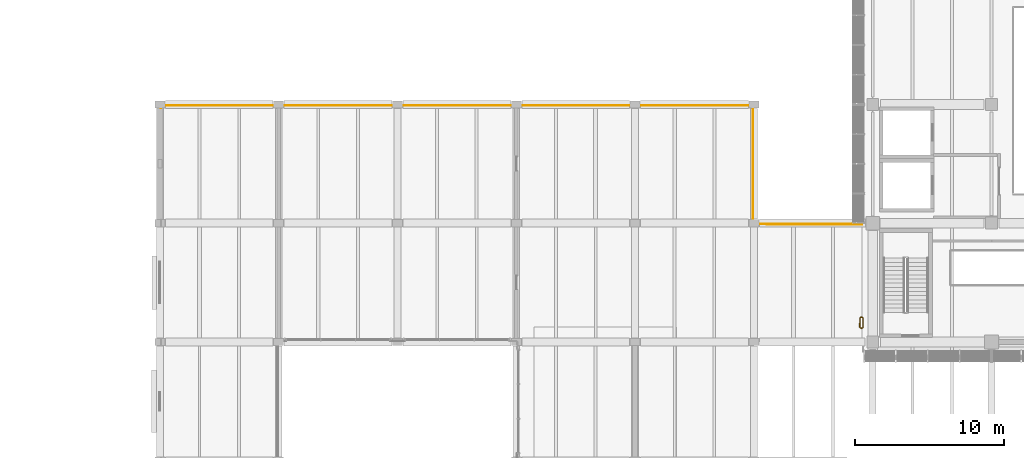
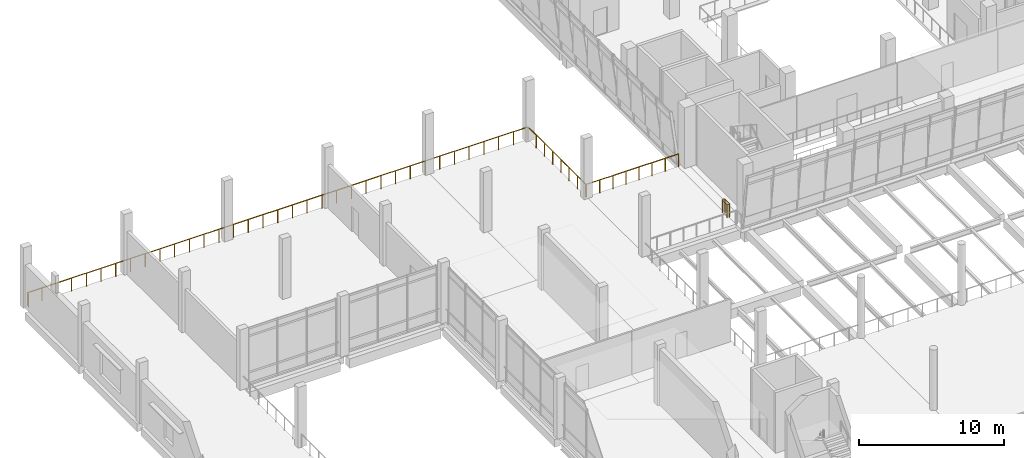
# One storey, part 51 of 61: 2 railings.
"""IFC4 building model written with IfcOpenShell, lengths in metres."""

from ifc_helpers import new_model, si_unit, direction, frame, origin, origin_2d, place, context, subcontext, project, spatial, circle, extrude, material, type_object, element, save


model = new_model("IFC4")

# Units and contexts
model_context = context("Model", 3, precision=1e-05, world=origin(), true_north=direction((0.0, 1.0)))
body_context = subcontext(model_context, "Body", "Model", "MODEL_VIEW")
ifc_project = project(units=[si_unit("LENGTHUNIT", "METRE"), si_unit("AREAUNIT", "SQUARE_METRE"), si_unit("VOLUMEUNIT", "CUBIC_METRE"), si_unit("PLANEANGLEUNIT", "RADIAN"), si_unit("MASSUNIT", "GRAM", prefix="KILO")], contexts=[model_context])

# Site, building, storey
site_placement = place(None, origin())
site = spatial("IfcSite", under=ifc_project, at=site_placement, CompositionType="ELEMENT")
building_placement = place(site_placement, origin())
building = spatial("IfcBuilding", under=site, at=building_placement, Name="Pecanmere Concourse Central Library", CompositionType="ELEMENT")
storey_placement = place(building_placement, frame((0.0, 0.0, 5.39990234375)))
storey = spatial("IfcBuildingStorey", under=building, at=storey_placement, Name="L02", CompositionType="ELEMENT", Elevation=5.39990234375)

# Railings
ifc_material = material(Name="Architectural anodized bronze")
railing_type = type_object("IfcRailingType", Name="RAIL_ATRIUM_BAL", PredefinedType="BALUSTRADE", material=ifc_material)
railing_1_placement = place(storey_placement, frame((24.070068359375, 105.764892578125, 0.0)))
element("IfcRailing", 1, at=railing_1_placement, inside=storey, type_object=railing_type, Name="Deck Edge Protective Balustrade L02-048", PredefinedType="BALUSTRADE", context=body_context, shape_type="SweptSolid", body=[
    extrude(circle(Radius=0.02392578125, at=origin_2d()), frame((0.0, 0.0, 1.09619140625), z_axis=(0.0, 1.0, 0.0), x_axis=(-1.0, 0.0, 0.0)), (0.0, 0.0, 1.0), 0.164794921875),
    extrude(circle(Radius=0.02392578125, at=origin_2d()), frame((0.0, 0.164794921875, 1.09619140625), z_axis=(0.999999999981, 6.125011e-06, 0.0), x_axis=(-6.125011e-06, 0.999999999981, 0.0)), (0.0, 0.0, 1.0), 39.859619140625),
    extrude(circle(Radius=0.02392578125, at=origin_2d()), frame((39.859619140625, 0.1650390625, 1.09619140625), z_axis=(9.2398669e-05, -0.999999995731, 0.0), x_axis=(0.999999995731, 9.2398669e-05, 0.0)), (0.0, 0.0, 1.0), 7.9267578125),
    extrude(circle(Radius=0.02392578125, at=origin_2d()), frame((39.8603515625, -7.76171875, 1.09619140625), z_axis=(0.591491231767, -0.806311430369, 0.0), x_axis=(0.806311430369, 0.591491231767, 0.0)), (0.0, 0.0, 1.0), 0.0830078125),
    extrude(circle(Radius=0.02392578125, at=origin_2d()), frame((39.909423828125, -7.82861328125, 1.09619140625), z_axis=(0.999999677597, -0.0008029976, 0.0), x_axis=(0.0008029976, 0.999999677597, 0.0)), (0.0, 0.0, 1.0), 7.296875),
    extrude(circle(Radius=0.02099609375, at=origin_2d()), origin(), (0.0, 0.0, 1.0), 1.072021484375),
    extrude(circle(Radius=0.02099609375, at=origin_2d()), frame((0.0, 0.164794921875, 0.0)), (0.0, 0.0, 1.0), 1.072021484375),
    extrude(circle(Radius=0.02099609375, at=origin_2d()), frame((1.17236328125, 0.164794921875, 0.0)), (0.0, 0.0, 1.0), 1.072021484375),
    extrude(circle(Radius=0.02099609375, at=origin_2d()), frame((2.3447265625, 0.164794921875, 0.0)), (0.0, 0.0, 1.0), 1.072021484375),
    extrude(circle(Radius=0.02099609375, at=origin_2d()), frame((3.51708984375, 0.164794921875, 0.0)), (0.0, 0.0, 1.0), 1.072021484375),
    extrude(circle(Radius=0.02099609375, at=origin_2d()), frame((4.689453125, 0.164794921875, 0.0)), (0.0, 0.0, 1.0), 1.072021484375),
    extrude(circle(Radius=0.02099609375, at=origin_2d()), frame((5.86181640625, 0.164794921875, 0.0)), (0.0, 0.0, 1.0), 1.072021484375),
    extrude(circle(Radius=0.02099609375, at=origin_2d()), frame((7.033935546875, 0.164794921875, 0.0)), (0.0, 0.0, 1.0), 1.072021484375),
    extrude(circle(Radius=0.02099609375, at=origin_2d()), frame((8.206298828125, 0.164794921875, 0.0)), (0.0, 0.0, 1.0), 1.072021484375),
    extrude(circle(Radius=0.02099609375, at=origin_2d()), frame((9.378662109375, 0.164794921875, 0.0)), (0.0, 0.0, 1.0), 1.072021484375),
    extrude(circle(Radius=0.02099609375, at=origin_2d()), frame((10.551025390625, 0.164794921875, 0.0)), (0.0, 0.0, 1.0), 1.072021484375),
    extrude(circle(Radius=0.02099609375, at=origin_2d()), frame((11.723388671875, 0.164794921875, 0.0)), (0.0, 0.0, 1.0), 1.072021484375),
    extrude(circle(Radius=0.02099609375, at=origin_2d()), frame((12.895751953125, 0.164794921875, 0.0)), (0.0, 0.0, 1.0), 1.072021484375),
    extrude(circle(Radius=0.02099609375, at=origin_2d()), frame((14.068115234375, 0.164794921875, 0.0)), (0.0, 0.0, 1.0), 1.072021484375),
    extrude(circle(Radius=0.02099609375, at=origin_2d()), frame((15.240478515625, 0.164794921875, 0.0)), (0.0, 0.0, 1.0), 1.072021484375),
    extrude(circle(Radius=0.02099609375, at=origin_2d()), frame((16.412841796875, 0.164794921875, 0.0)), (0.0, 0.0, 1.0), 1.072021484375),
    extrude(circle(Radius=0.02099609375, at=origin_2d()), frame((17.585205078125, 0.164794921875, 0.0)), (0.0, 0.0, 1.0), 1.072021484375),
    extrude(circle(Radius=0.02099609375, at=origin_2d()), frame((18.757568359375, 0.164794921875, 0.0)), (0.0, 0.0, 1.0), 1.072021484375),
    extrude(circle(Radius=0.02099609375, at=origin_2d()), frame((19.9296875, 0.1650390625, 0.0)), (0.0, 0.0, 1.0), 1.072021484375),
    extrude(circle(Radius=0.02099609375, at=origin_2d()), frame((21.10205078125, 0.1650390625, 0.0)), (0.0, 0.0, 1.0), 1.072021484375),
    extrude(circle(Radius=0.02099609375, at=origin_2d()), frame((22.2744140625, 0.1650390625, 0.0)), (0.0, 0.0, 1.0), 1.072021484375),
    extrude(circle(Radius=0.02099609375, at=origin_2d()), frame((23.44677734375, 0.1650390625, 0.0)), (0.0, 0.0, 1.0), 1.072021484375),
    extrude(circle(Radius=0.02099609375, at=origin_2d()), frame((24.619140625, 0.1650390625, 0.0)), (0.0, 0.0, 1.0), 1.072021484375),
    extrude(circle(Radius=0.02099609375, at=origin_2d()), frame((25.79150390625, 0.1650390625, 0.0)), (0.0, 0.0, 1.0), 1.072021484375),
    extrude(circle(Radius=0.02099609375, at=origin_2d()), frame((26.9638671875, 0.1650390625, 0.0)), (0.0, 0.0, 1.0), 1.072021484375),
    extrude(circle(Radius=0.02099609375, at=origin_2d()), frame((28.13623046875, 0.1650390625, 0.0)), (0.0, 0.0, 1.0), 1.072021484375),
    extrude(circle(Radius=0.02099609375, at=origin_2d()), frame((29.30859375, 0.1650390625, 0.0)), (0.0, 0.0, 1.0), 1.072021484375),
    extrude(circle(Radius=0.02099609375, at=origin_2d()), frame((30.48095703125, 0.1650390625, 0.0)), (0.0, 0.0, 1.0), 1.072021484375),
    extrude(circle(Radius=0.02099609375, at=origin_2d()), frame((31.6533203125, 0.1650390625, 0.0)), (0.0, 0.0, 1.0), 1.072021484375),
    extrude(circle(Radius=0.02099609375, at=origin_2d()), frame((32.82568359375, 0.1650390625, 0.0)), (0.0, 0.0, 1.0), 1.072021484375),
    extrude(circle(Radius=0.02099609375, at=origin_2d()), frame((33.997802734375, 0.1650390625, 0.0)), (0.0, 0.0, 1.0), 1.072021484375),
    extrude(circle(Radius=0.02099609375, at=origin_2d()), frame((35.170166015625, 0.1650390625, 0.0)), (0.0, 0.0, 1.0), 1.072021484375),
    extrude(circle(Radius=0.02099609375, at=origin_2d()), frame((36.342529296875, 0.1650390625, 0.0)), (0.0, 0.0, 1.0), 1.072021484375),
    extrude(circle(Radius=0.02099609375, at=origin_2d()), frame((37.514892578125, 0.1650390625, 0.0)), (0.0, 0.0, 1.0), 1.072021484375),
    extrude(circle(Radius=0.02099609375, at=origin_2d()), frame((38.687255859375, 0.1650390625, 0.0)), (0.0, 0.0, 1.0), 1.072021484375),
    extrude(circle(Radius=0.02099609375, at=origin_2d()), frame((39.859619140625, 0.1650390625, 0.0)), (0.0, 0.0, 1.0), 1.072021484375),
    extrude(circle(Radius=0.02099609375, at=origin_2d()), frame((39.859619140625, -0.96728515625, 0.0)), (0.0, 0.0, 1.0), 1.072021484375),
    extrude(circle(Radius=0.02099609375, at=origin_2d()), frame((39.85986328125, -2.099853515625, 0.0)), (0.0, 0.0, 1.0), 1.072021484375),
    extrude(circle(Radius=0.02099609375, at=origin_2d()), frame((39.85986328125, -3.232177734375, 0.0)), (0.0, 0.0, 1.0), 1.072021484375),
    extrude(circle(Radius=0.02099609375, at=origin_2d()), frame((39.860107421875, -4.364501953125, 0.0)), (0.0, 0.0, 1.0), 1.072021484375),
    extrude(circle(Radius=0.02099609375, at=origin_2d()), frame((39.860107421875, -5.496826171875, 0.0)), (0.0, 0.0, 1.0), 1.072021484375),
    extrude(circle(Radius=0.02099609375, at=origin_2d()), frame((39.8603515625, -6.62939453125, 0.0)), (0.0, 0.0, 1.0), 1.072021484375),
    extrude(circle(Radius=0.02099609375, at=origin_2d()), frame((39.8603515625, -7.76171875, 0.0)), (0.0, 0.0, 1.0), 1.072021484375),
    extrude(circle(Radius=0.02099609375, at=origin_2d()), frame((39.909423828125, -7.82861328125, 0.0)), (0.0, 0.0, 1.0), 1.072021484375),
    extrude(circle(Radius=0.02099609375, at=origin_2d()), frame((40.951904296875, -7.829345703125, 0.0)), (0.0, 0.0, 1.0), 1.072021484375),
    extrude(circle(Radius=0.02099609375, at=origin_2d()), frame((41.994140625, -7.830322265625, 0.0)), (0.0, 0.0, 1.0), 1.072021484375),
    extrude(circle(Radius=0.02099609375, at=origin_2d()), frame((43.03662109375, -7.8310546875, 0.0)), (0.0, 0.0, 1.0), 1.072021484375),
    extrude(circle(Radius=0.02099609375, at=origin_2d()), frame((44.0791015625, -7.83203125, 0.0)), (0.0, 0.0, 1.0), 1.072021484375),
    extrude(circle(Radius=0.02099609375, at=origin_2d()), frame((45.12158203125, -7.832763671875, 0.0)), (0.0, 0.0, 1.0), 1.072021484375),
    extrude(circle(Radius=0.02099609375, at=origin_2d()), frame((46.163818359375, -7.833740234375, 0.0)), (0.0, 0.0, 1.0), 1.072021484375),
    extrude(circle(Radius=0.02099609375, at=origin_2d()), frame((47.206298828125, -7.83447265625, 0.0)), (0.0, 0.0, 1.0), 1.072021484375),
])
railing_2_placement = place(storey_placement, frame((71.34912109375, 91.596923828125, 0.0)))
element("IfcRailing", 2, at=railing_2_placement, inside=storey, type_object=railing_type, Name="Deck Edge Protective Balustrade L02-068", PredefinedType="BALUSTRADE", context=body_context, shape_type="SweptSolid", body=[
    extrude(circle(Radius=0.02392578125, at=origin_2d()), frame((0.0, 0.0, 1.09619140625), z_axis=(-0.591491231767, 0.806311430369, 0.0), x_axis=(-0.806311430369, -0.591491231767, 0.0)), (0.0, 0.0, 1.0), 0.0830078125),
    extrude(circle(Radius=0.02392578125, at=origin_2d()), frame((-0.049072265625, 0.06689453125, 1.09619140625), z_axis=(-0.998195860289, 0.060041856258, 0.0), x_axis=(-0.060041856258, -0.998195860289, 0.0)), (0.0, 0.0, 1.0), 0.09765625),
    extrude(circle(Radius=0.02392578125, at=origin_2d()), frame((-0.146484375, 0.07275390625, 1.09619140625), z_axis=(-0.806311430369, -0.591491231767, 0.0), x_axis=(0.591491231767, -0.806311430369, 0.0)), (0.0, 0.0, 1.0), 0.0830078125),
    extrude(circle(Radius=0.02392578125, at=origin_2d()), frame((-0.21337890625, 0.023681640625, 1.09619140625), z_axis=(-0.009489489668, -0.999954973779, 0.0), x_axis=(0.999954973779, -0.009489489668, 0.0)), (0.0, 0.0, 1.0), 0.617431640625),
    extrude(circle(Radius=0.02392578125, at=origin_2d()), frame((-0.21923828125, -0.59375, 1.09619140625), z_axis=(0.591491231767, -0.806311430369, 0.0), x_axis=(0.806311430369, 0.591491231767, 0.0)), (0.0, 0.0, 1.0), 0.0830078125),
    extrude(circle(Radius=0.02392578125, at=origin_2d()), frame((-0.170166015625, -0.66064453125, 1.09619140625), z_axis=(0.998195860289, -0.060041856258, 0.0), x_axis=(0.060041856258, 0.998195860289, 0.0)), (0.0, 0.0, 1.0), 0.09765625),
    extrude(circle(Radius=0.02392578125, at=origin_2d()), frame((-0.07275390625, -0.66650390625, 1.09619140625), z_axis=(0.806311430369, 0.591491231767, 0.0), x_axis=(-0.591491231767, 0.806311430369, 0.0)), (0.0, 0.0, 1.0), 0.0830078125),
    extrude(circle(Radius=0.02392578125, at=origin_2d()), frame((-0.005859375, -0.617431640625, 1.09619140625), z_axis=(0.009489489668, 0.999954973779, 0.0), x_axis=(-0.999954973779, 0.009489489668, 0.0)), (0.0, 0.0, 1.0), 0.617431640625),
    extrude(circle(Radius=0.02099609375, at=origin_2d()), origin(), (0.0, 0.0, 1.0), 1.072021484375),
    extrude(circle(Radius=0.02099609375, at=origin_2d()), frame((-0.049072265625, 0.06689453125, 0.0)), (0.0, 0.0, 1.0), 1.072021484375),
    extrude(circle(Radius=0.02099609375, at=origin_2d()), frame((-0.146484375, 0.07275390625, 0.0)), (0.0, 0.0, 1.0), 1.072021484375),
    extrude(circle(Radius=0.02099609375, at=origin_2d()), frame((-0.21337890625, 0.023681640625, 0.0)), (0.0, 0.0, 1.0), 1.072021484375),
    extrude(circle(Radius=0.02099609375, at=origin_2d()), frame((-0.21923828125, -0.59375, 0.0)), (0.0, 0.0, 1.0), 1.072021484375),
    extrude(circle(Radius=0.02099609375, at=origin_2d()), frame((-0.170166015625, -0.66064453125, 0.0)), (0.0, 0.0, 1.0), 1.072021484375),
    extrude(circle(Radius=0.02099609375, at=origin_2d()), frame((-0.07275390625, -0.66650390625, 0.0)), (0.0, 0.0, 1.0), 1.072021484375),
    extrude(circle(Radius=0.02099609375, at=origin_2d()), frame((-0.005859375, -0.617431640625, 0.0)), (0.0, 0.0, 1.0), 1.072021484375),
])

save(model, "model.ifc")
